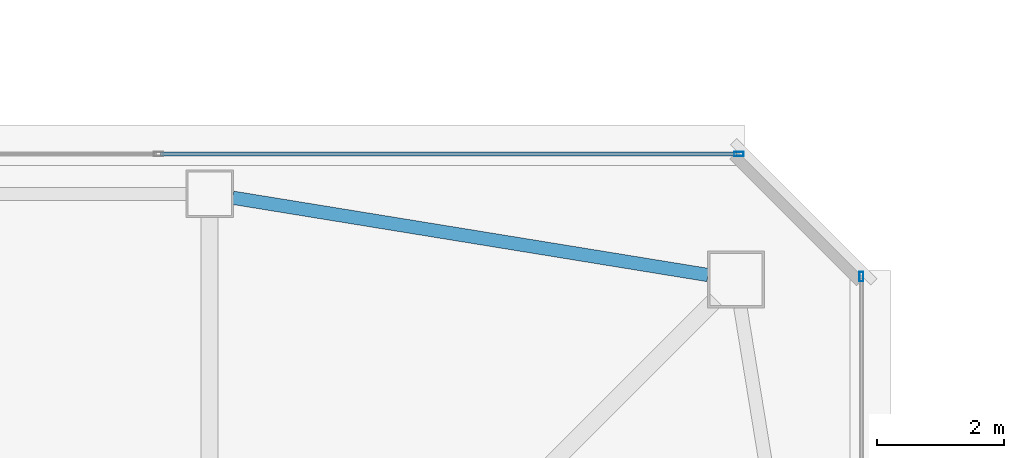
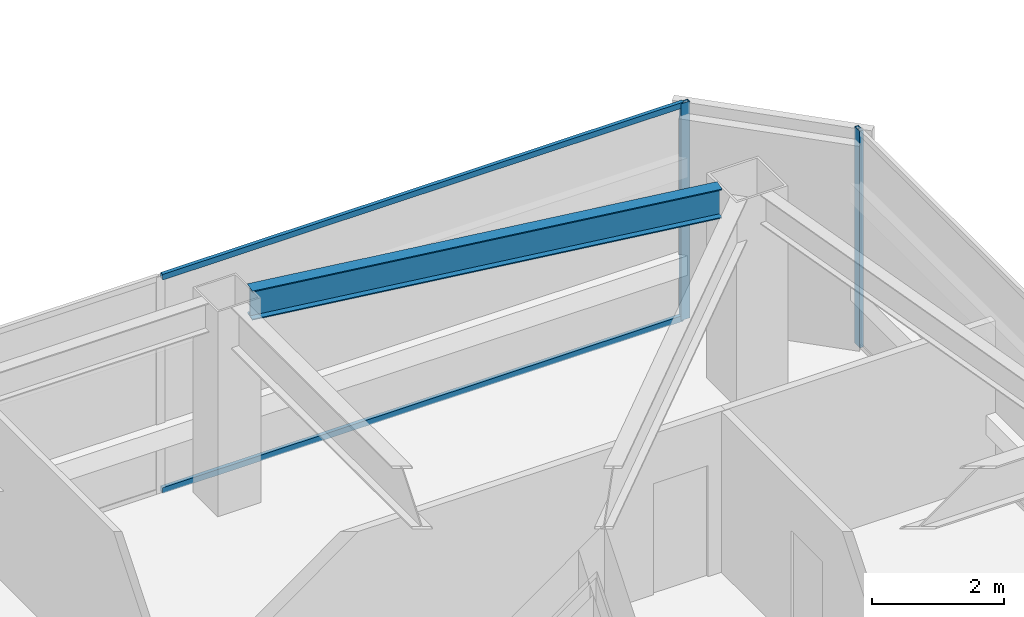
# One storey, part 18 of 51: 4 members, 1 beam, 2 elements without a shape of their own.
"""IFC4 building model written with IfcOpenShell, lengths in metres."""

from ifc_helpers import new_model, si_unit, direction, frame, origin, origin_2d, place, context, subcontext, project, spatial, hollow_rectangle, i_section, extrude, material, material_profile, profile_set, type_object, element, aggregate, save


model = new_model("IFC4")

# Units and contexts
model_context = context("Model", 3, precision=1e-05, world=origin(), true_north=direction((0.0, 1.0)))
body_context = subcontext(model_context, "Body", "Model", "MODEL_VIEW")
ifc_project = project(units=[si_unit("LENGTHUNIT", "METRE"), si_unit("AREAUNIT", "SQUARE_METRE"), si_unit("VOLUMEUNIT", "CUBIC_METRE"), si_unit("PLANEANGLEUNIT", "RADIAN"), si_unit("MASSUNIT", "GRAM", prefix="KILO")], contexts=[model_context])

# Site, building, storey
site_placement = place(None, origin())
site = spatial("IfcSite", under=ifc_project, at=site_placement, CompositionType="ELEMENT")
building_placement = place(site_placement, origin())
building = spatial("IfcBuilding", under=site, at=building_placement, Name="Tashvorn Skyway Center", CompositionType="ELEMENT")
storey_placement = place(building_placement, frame((0.0, 0.0, 251.39990234375)))
storey = spatial("IfcBuildingStorey", under=building, at=storey_placement, Name="L68", CompositionType="ELEMENT", Elevation=251.39990234375)

# Beam
ifc_material_1 = material(Name="Steel ASTM A992 Grade 50", Category="steel")
ifc_material_profile_1 = material_profile(ifc_material_1, i_section(OverallWidth=0.2109375, OverallDepth=0.5390625, WebThickness=0.01171875, FlangeThickness=0.018798828125, at=origin_2d()), Name="W21X73")
ifc_profile_set_1 = profile_set([ifc_material_profile_1], Name="Steel ASTM A992 Grade 50")
beam_type = type_object("IfcBeamType", Name="BM-SPANDREL-W21X73", PredefinedType="SPANDREL", material=ifc_profile_set_1)
beam_placement = place(storey_placement, frame((55.2607421875, 45.771484375, 3.510498046875), z_axis=(-0.987032749583, 0.160519005885, 0.0), x_axis=(-0.160519005885, -0.987032749583, 0.0)))
element("IfcBeam", 1, at=beam_placement, inside=storey, type_object=beam_type, Name="Tower 1 L68 Spandrel Beam 07", PredefinedType="SPANDREL", context=body_context, shape_type="SweptSolid", body=[
    extrude(i_section(OverallWidth=0.2109375, OverallDepth=0.5390625, WebThickness=0.01171875, FlangeThickness=0.018798828125, at=origin_2d()), origin(), (0.0, 0.0, 1.0), 7.593994140625),
])

# Curtain wall, member
ifc_material_2 = material(Name="Thermally broken bronze-anodized aluminium 6063-T6", Category="aluminium")
curtain_wall_type = type_object("IfcCurtainWallType", Name="CW-CW-SKY", PredefinedType="NOTDEFINED", material=ifc_material_2)
curtain_wall_1_placement = place(storey_placement, origin())
curtain_wall_1 = element("IfcCurtainWall", 2, at=curtain_wall_1_placement, inside=storey, type_object=curtain_wall_type, Name="Tower 1 L68 North Unitised Curtain Wall", PredefinedType="NOTDEFINED")
ifc_material_profile_2 = material_profile(ifc_material_2, hollow_rectangle(XDim=0.06494140625, YDim=0.14990234375, WallThickness=0.00390625, at=origin_2d()), Name="ALU-MULL-65x150")
ifc_profile_set_2 = profile_set([ifc_material_profile_2], Name="Thermally broken bronze-anodized aluminium 6063-T6")
member_type_1 = type_object("IfcMemberType", Name="CWM-CW-SKY", PredefinedType="MULLION", material=ifc_profile_set_2)
member_1_placement = place(storey_placement, frame((55.74755859375, 47.679931640625, 0.0), z_axis=(0.0, 0.0, 1.0), x_axis=(0.0, 1.0, 0.0)))
member_1 = element("IfcMember", 3, at=member_1_placement, type_object=member_type_1, Name="CW-SKY mullion 4", PredefinedType="MULLION", context=body_context, shape_type="SweptSolid", body=[
    extrude(hollow_rectangle(XDim=0.06494140625, YDim=0.14990234375, WallThickness=0.00390625, at=origin_2d()), origin(), (0.0, 0.0, 1.0), 4.0),
])

curtain_wall_2_placement = place(storey_placement, origin())
curtain_wall_2 = element("IfcCurtainWall", 4, at=curtain_wall_2_placement, inside=storey, type_object=curtain_wall_type, Name="Tower 1 L68 East Curtain Wall A", PredefinedType="NOTDEFINED")
member_2_placement = place(storey_placement, frame((57.679931640625, 45.74755859375, 0.0), z_axis=(0.0, 0.0, 1.0), x_axis=(1.0, 0.0, 0.0)))
member_2 = element("IfcMember", 5, at=member_2_placement, type_object=member_type_1, Name="CW-SKY mullion 1", PredefinedType="MULLION", context=body_context, shape_type="SweptSolid", body=[
    extrude(hollow_rectangle(XDim=0.06494140625, YDim=0.14990234375, WallThickness=0.00390625, at=origin_2d()), origin(), (0.0, 0.0, 1.0), 4.0),
])
aggregate(curtain_wall_2, [member_2])

# Member
ifc_material_profile_3 = material_profile(ifc_material_2, hollow_rectangle(XDim=0.06494140625, YDim=0.10498046875, WallThickness=0.00390625, at=origin_2d()), Name="ALU-TRAN-65x105")
ifc_profile_set_3 = profile_set([ifc_material_profile_3], Name="Thermally broken bronze-anodized aluminium 6063-T6")
member_type_2 = type_object("IfcMemberType", Name="CWT-CW-SKY", PredefinedType="USERDEFINED", material=ifc_profile_set_3)
member_3_placement = place(storey_placement, frame((46.625732421875, 47.679931640625, 0.03271484375), z_axis=(1.0, 0.0, 0.0), x_axis=(0.0, 1.0, 0.0)))
member_3 = element("IfcMember", 6, at=member_3_placement, type_object=member_type_2, Name="CW-SKY transom 3.1", ObjectType="TRANSOM", PredefinedType="USERDEFINED", context=body_context, shape_type="SweptSolid", body=[
    extrude(hollow_rectangle(XDim=0.06494140625, YDim=0.10498046875, WallThickness=0.00390625, at=origin_2d()), origin(), (0.0, 0.0, 1.0), 9.08935546875),
])

member_4_placement = place(storey_placement, frame((46.625732421875, 47.679931640625, 3.967529296875), z_axis=(1.0, 0.0, 0.0), x_axis=(0.0, 1.0, 0.0)))
member_4 = element("IfcMember", 7, at=member_4_placement, type_object=member_type_2, Name="CW-SKY transom 3.2", ObjectType="TRANSOM", PredefinedType="USERDEFINED", context=body_context, shape_type="SweptSolid", body=[
    extrude(hollow_rectangle(XDim=0.06494140625, YDim=0.10498046875, WallThickness=0.00390625, at=origin_2d()), origin(), (0.0, 0.0, 1.0), 9.08935546875),
])

aggregate(curtain_wall_1, [member_1, member_3, member_4])

save(model, "model.ifc")
